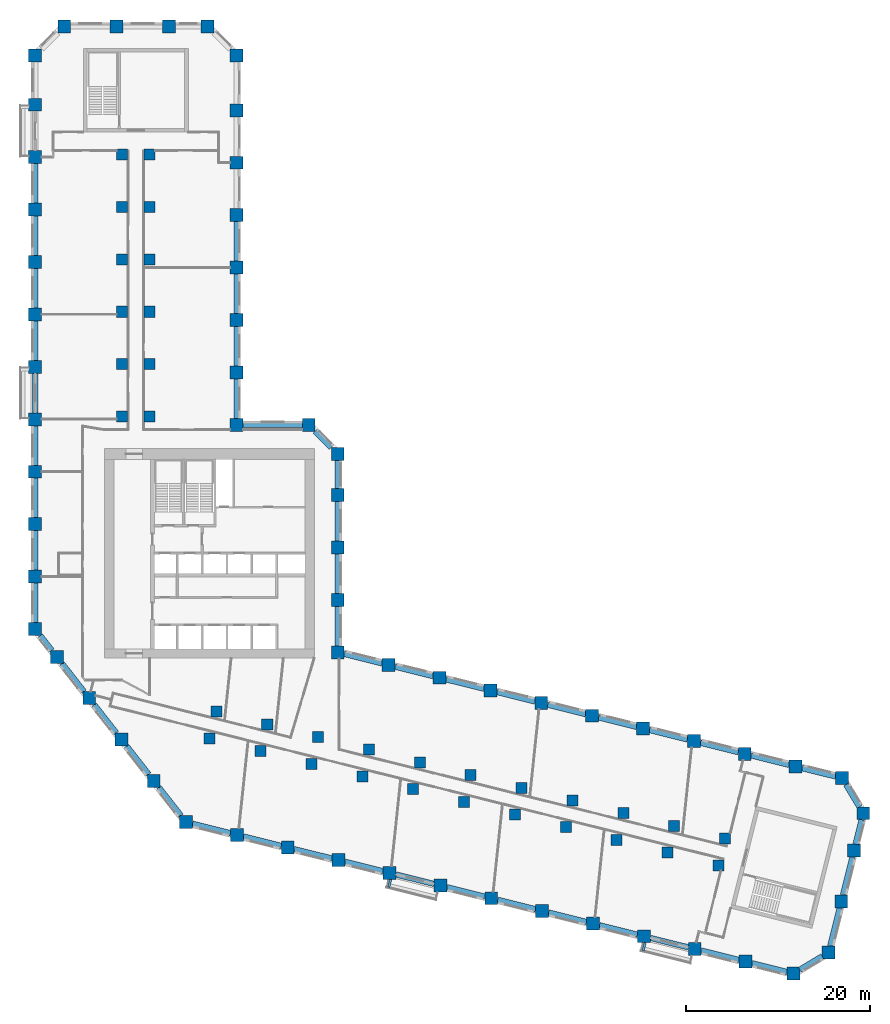
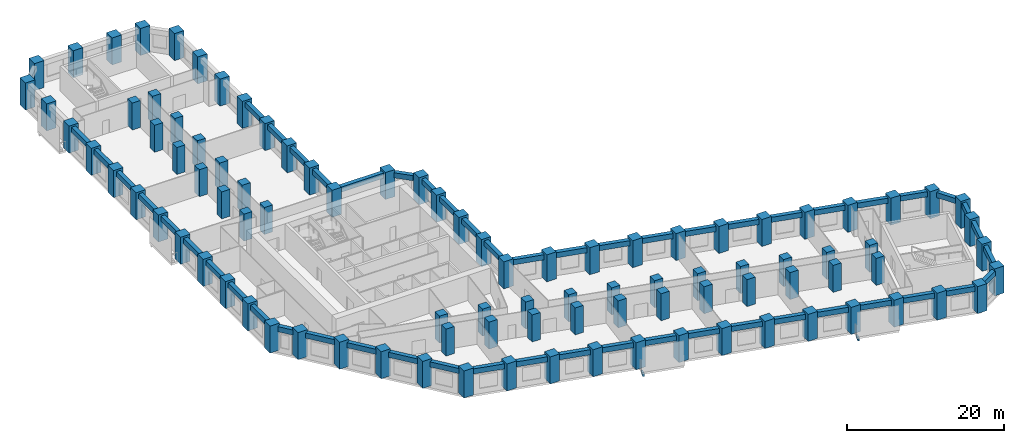
# One storey, part 1 of 11: 95 columns, 53 beams.
"""IFC4 building model written with IfcOpenShell, lengths in metres."""

import ifcopenshell
import ifcopenshell.guid

model = None  # the IFC model being written
_history = None  # IfcOwnerHistory: only IFC2X3 demands one
_inside = {}  # id of a spatial element -> (the spatial element, [elements in it])
_under = {}  # id of a project, library or spatial element -> (it, [spatial elements below it])
_declared = {}  # id of a project -> (the project, [libraries it declares])
_typed = {}  # id of a type object -> (the type object, [elements of that type])
_made_of = {}  # id of a material, layer set ... -> (it, [elements and type objects made of it])


def new_model(schema):
    """Start an empty IFC model of exactly this schema.

    Asked for "IFC4X3", IfcOpenShell would pick the latest addendum, in which some entities
    have other attributes; the version numbers below select the first issue.
    IFC2X3 requires an IfcOwnerHistory on every rooted entity: one is made here for all.
    """
    global model, _history
    if schema == "IFC4X3":
        model = ifcopenshell.file(schema_version=(4, 3, 0, 0))
    else:
        model = ifcopenshell.file(schema=schema)
    _inside.clear()
    _under.clear()
    _declared.clear()
    _typed.clear()
    _made_of.clear()
    _history = None
    if model.schema == "IFC2X3":
        org = make("IfcOrganization", Name="unknown")
        user = make(
            "IfcPersonAndOrganization",
            ThePerson=make("IfcPerson", FamilyName="unknown"),
            TheOrganization=org,
        )
        app = make(
            "IfcApplication",
            ApplicationDeveloper=org,
            Version="unknown",
            ApplicationFullName="unknown",
            ApplicationIdentifier="unknown",
        )
        _history = make(
            "IfcOwnerHistory",
            OwningUser=user,
            OwningApplication=app,
            ChangeAction="ADDED",
            CreationDate=0,
        )
    return model


def make(cls, **values):
    """One entity of the class cls with the attributes given. An attribute that is None is left unset."""
    return model.create_entity(
        cls, **{name: value for name, value in values.items() if value is not None}
    )


def rooted(cls, **values):
    """An entity with a GlobalId (a new one), such as an element, a storey or a relation."""
    return make(cls, GlobalId=ifcopenshell.guid.new(), OwnerHistory=_history, **values)


def si_unit(unit_type, name, prefix=None):
    """IfcSIUnit, for example si_unit("LENGTHUNIT", "METRE", prefix="MILLI")."""
    return make("IfcSIUnit", UnitType=unit_type, Prefix=prefix, Name=name)


def assignment(units):
    """IfcUnitAssignment: the units of a project."""
    return None if units is None else make("IfcUnitAssignment", Units=units)


def point(xyz):
    """IfcCartesianPoint."""
    return None if xyz is None else make("IfcCartesianPoint", Coordinates=xyz)


def direction(xyz):
    """IfcDirection."""
    return None if xyz is None else make("IfcDirection", DirectionRatios=xyz)


def frame(location, z_axis=None, x_axis=None):
    """IfcAxis2Placement3D, a coordinate frame: its origin and axes. An axis left out is left unset."""
    return make(
        "IfcAxis2Placement3D",
        Location=point(location),
        Axis=direction(z_axis),
        RefDirection=direction(x_axis),
    )


def frame_2d(location, x_axis=None):
    """IfcAxis2Placement2D, a coordinate frame in the plane: its origin and x axis."""
    return make(
        "IfcAxis2Placement2D", Location=point(location), RefDirection=direction(x_axis)
    )


def origin():
    """The frame at (0, 0, 0) with its axes left unset."""
    return frame((0.0, 0.0, 0.0))


def origin_2d():
    """The frame at (0, 0) in the plane with its x axis left unset."""
    return frame_2d((0.0, 0.0))


def place(relative_to, where):
    """IfcLocalPlacement: puts the frame where relative to a parent placement (None: the world)."""
    return make(
        "IfcLocalPlacement", PlacementRelTo=relative_to, RelativePlacement=where
    )


def context(
    kind, dimensions, precision=None, world=None, true_north=None, identifier=None
):
    """IfcGeometricRepresentationContext, for example the 3D "Model" context."""
    return make(
        "IfcGeometricRepresentationContext",
        ContextIdentifier=identifier,
        ContextType=kind,
        CoordinateSpaceDimension=dimensions,
        Precision=precision,
        WorldCoordinateSystem=world,
        TrueNorth=true_north,
    )


def subcontext(parent, identifier, kind, view, scale=None):
    """IfcGeometricRepresentationSubContext, for example "Body" below "Model"."""
    return make(
        "IfcGeometricRepresentationSubContext",
        ContextIdentifier=identifier,
        ContextType=kind,
        ParentContext=parent,
        TargetScale=scale,
        TargetView=view,
    )


def project(units=None, contexts=None):
    """IfcProject with its units and contexts."""
    return rooted(
        "IfcProject",
        Name="project",
        RepresentationContexts=contexts,
        UnitsInContext=assignment(units),
    )


def spatial(cls, under=None, at=None, **own):
    """A site, building, storey or space (cls), placed at a placement, below another one or the project."""
    s = rooted(cls, ObjectPlacement=at, **own)
    if under is not None:
        _under.setdefault(under.id(), (under, []))[1].append(s)
    return s


def profile(cls, at=None, kind="AREA", **sizes):
    """A parametric profile (cls). Its sizes go by their IFC names, for example OverallWidth=200.0."""
    return make(cls, ProfileType=kind, Position=at, **sizes)


def rectangle(**sizes):
    """IfcRectangleProfileDef."""
    return profile("IfcRectangleProfileDef", **sizes)


def extrude(swept, where, along, depth):
    """IfcExtrudedAreaSolid: the profile swept, set in the frame where, extruded along a direction by depth."""
    return make(
        "IfcExtrudedAreaSolid",
        SweptArea=swept,
        Position=where,
        ExtrudedDirection=direction(along),
        Depth=depth,
    )


def shape(context_of_items, identifier, shape_type, items):
    """IfcShapeRepresentation: the items that make up one representation, for example the "Body"."""
    return make(
        "IfcShapeRepresentation",
        ContextOfItems=context_of_items,
        RepresentationIdentifier=identifier,
        RepresentationType=shape_type,
        Items=items,
    )


def material(Name=None, Category=None):
    """IfcMaterial."""
    return make("IfcMaterial", Name=Name, Category=Category)


def material_profile(
    of_material, cross_section, Name=None, Category=None, Priority=None
):
    """IfcMaterialProfile: a cross section and its material."""
    return make(
        "IfcMaterialProfile",
        Name=Name,
        Material=of_material,
        Profile=cross_section,
        Priority=Priority,
        Category=Category,
    )


def profile_set(profiles, Name=None, composite=None):
    """IfcMaterialProfileSet."""
    return make(
        "IfcMaterialProfileSet",
        Name=Name,
        MaterialProfiles=profiles,
        CompositeProfile=composite,
    )


def made_of(thing, what):
    """Note that an element or type object is made of a material, layer set ...; save() writes the relation."""
    if what is not None:
        _made_of.setdefault(what.id(), (what, []))[1].append(thing)
    return thing


def type_object(cls, material=None, **own):
    """A type object (cls), such as IfcWallType, which elements share."""
    return made_of(rooted(cls, **own), material)


def element(
    cls,
    number,
    at=None,
    inside=None,
    cuts=None,
    type_object=None,
    material=None,
    context=None,
    identifier="Body",
    shape_type=None,
    held_by="IfcProductDefinitionShape",
    body=None,
    shapes=None,
    **own,
):
    """One element of the class cls, such as IfcWall. Its Tag is "e" and its number.

    at: its placement. inside: the storey or other place that contains it. cuts: it is an
    opening in that element (IfcRelVoidsElement). A single representation is given by context,
    identifier, shape_type and body (its items); several are given by shapes. held_by: the class
    of the entity that holds the representations. save() writes the other relations.
    """
    e = rooted(cls, Tag="e%d" % number, ObjectPlacement=at, **own)
    if body is not None:
        shapes = [shape(context, identifier, shape_type, body)]
    if shapes is not None:
        e.Representation = make(held_by, Representations=shapes)
    if inside is not None:
        _inside.setdefault(inside.id(), (inside, []))[1].append(e)
    if cuts is not None:
        rooted(
            "IfcRelVoidsElement", RelatingBuildingElement=cuts, RelatedOpeningElement=e
        )
    if type_object is not None:
        _typed.setdefault(type_object.id(), (type_object, []))[1].append(e)
    return made_of(e, material)


def aggregate(whole, parts):
    """IfcRelAggregates: a whole, such as a stair, and the parts it consists of."""
    return rooted("IfcRelAggregates", RelatingObject=whole, RelatedObjects=parts)


def save(model, path):
    """Write the relations noted so far, then the file.

    IfcRelAggregates (storeys below a building ...), IfcRelContainedInSpatialStructure (elements
    in a storey), IfcRelDefinesByType, IfcRelAssociatesMaterial and IfcRelDeclares: one each for
    every whole, place, type object, material and project.
    """
    for whole, parts in _under.values():
        aggregate(whole, parts)
    for where, things in _inside.values():
        rooted(
            "IfcRelContainedInSpatialStructure",
            RelatedElements=things,
            RelatingStructure=where,
        )
    for kind, things in _typed.values():
        rooted("IfcRelDefinesByType", RelatedObjects=things, RelatingType=kind)
    for what, things in _made_of.values():
        rooted("IfcRelAssociatesMaterial", RelatedObjects=things, RelatingMaterial=what)
    for by, libraries in _declared.values():
        rooted("IfcRelDeclares", RelatingContext=by, RelatedDefinitions=libraries)
    model.write(path)


model = new_model("IFC4")

# Units and contexts
model_context = context("Model", 3, precision=1e-05, world=origin(), true_north=direction((0.0, 1.0)))
body_context = subcontext(model_context, "Body", "Model", "MODEL_VIEW")
ifc_project = project(units=[si_unit("LENGTHUNIT", "METRE"), si_unit("AREAUNIT", "SQUARE_METRE"), si_unit("VOLUMEUNIT", "CUBIC_METRE"), si_unit("PLANEANGLEUNIT", "RADIAN"), si_unit("MASSUNIT", "GRAM", prefix="KILO")], contexts=[model_context])

# Site, building, storey
site_placement = place(None, origin())
site = spatial("IfcSite", under=ifc_project, at=site_placement, CompositionType="ELEMENT")
building_placement = place(site_placement, origin())
building = spatial("IfcBuilding", under=site, at=building_placement, Name="Meshkara Civic Tower", CompositionType="ELEMENT")
storey_placement = place(building_placement, frame((0.0, 0.0, 54.0)))
storey = spatial("IfcBuildingStorey", under=building, at=storey_placement, Name="L11", CompositionType="ELEMENT", Elevation=54.0)

# Columns
ifc_material_1 = material(Name="Concrete C80", Category="concrete")
ifc_material_profile_1 = material_profile(ifc_material_1, rectangle(XDim=1.199951171875, YDim=1.199951171875, at=origin_2d()))
ifc_profile_set_1 = profile_set([ifc_material_profile_1], Name="Concrete C80")
column_type_1 = type_object("IfcColumnType", Name="Interior column RC 1200x1200 C80", PredefinedType="COLUMN", material=ifc_profile_set_1)
for number, where, z_axis, x_axis, name in (
    (1, (9.89990234375, 40.35009765625, 0.0), (0.0, 0.0, 1.0), (1.0, 0.0, 0.0), "Column SA1-04 L11"),
    (2, (9.89990234375, 46.050048828125, 0.0), (0.0, 0.0, 1.0), (1.0, 0.0, 0.0), "Column SA1-05 L11"),
    (3, (9.89990234375, 51.75, 0.0), (0.0, 0.0, 1.0), (1.0, 0.0, 0.0), "Column SA1-06 L11"),
    (4, (9.89990234375, 57.449951171875, 0.0), (0.0, 0.0, 1.0), (1.0, 0.0, 0.0), "Column SA1-07 L11"),
    (5, (9.89990234375, 63.14990234375, 0.0), (0.0, 0.0, 1.0), (1.0, 0.0, 0.0), "Column SA1-08 L11"),
    (6, (9.89990234375, 68.85009765625, 0.0), (0.0, 0.0, 1.0), (1.0, 0.0, 0.0), "Column SA1-09 L11"),
    (7, (12.89990234375, 40.35009765625, 0.0), (0.0, 0.0, 1.0), (1.0, 0.0, 0.0), "Column SA2-04 L11"),
    (8, (12.89990234375, 46.050048828125, 0.0), (0.0, 0.0, 1.0), (1.0, 0.0, 0.0), "Column SA2-05 L11"),
    (9, (12.89990234375, 51.75, 0.0), (0.0, 0.0, 1.0), (1.0, 0.0, 0.0), "Column SA2-06 L11"),
    (10, (12.89990234375, 57.449951171875, 0.0), (0.0, 0.0, 1.0), (1.0, 0.0, 0.0), "Column SA2-07 L11"),
    (11, (12.89990234375, 63.14990234375, 0.0), (0.0, 0.0, 1.0), (1.0, 0.0, 0.0), "Column SA2-08 L11"),
    (12, (12.89990234375, 68.85009765625, 0.0), (0.0, 0.0, 1.0), (1.0, 0.0, 0.0), "Column SA2-09 L11"),
    (13, (19.424072265625, 5.360107421875, 0.0), (0.0, 0.0, 1.0), (1.0, 0.0, 0.0), "Column SB1-00 L11"),
    (14, (24.9541015625, 3.98095703125, 0.0), (0.0, 0.0, 1.0), (1.0, 0.0, 0.0), "Column SB1-01 L11"),
    (15, (30.485107421875, 2.60205078125, 0.0), (0.0, 0.0, 1.0), (1.0, 0.0, 0.0), "Column SB1-02 L11"),
    (16, (36.01611328125, 1.222900390625, 0.0), (0.0, 0.0, 1.0), (1.0, 0.0, 0.0), "Column SB1-03 L11"),
    (17, (41.5458984375, -0.156005859375, 0.0), (0.0, 0.0, 1.0), (1.0, 0.0, 0.0), "Column SB1-04 L11"),
    (18, (47.076904296875, -1.534912109375, 0.0), (0.0, 0.0, 1.0), (1.0, 0.0, 0.0), "Column SB1-05 L11"),
    (19, (52.60791015625, -2.9140625, 0.0), (0.0, 0.0, 1.0), (1.0, 0.0, 0.0), "Column SB1-06 L11"),
    (20, (58.138916015625, -4.2919921875, 0.0), (0.0, 0.0, 1.0), (1.0, 0.0, 0.0), "Column SB1-07 L11"),
    (21, (63.6689453125, -5.6708984375, 0.0), (0.0, 0.0, 1.0), (1.0, 0.0, 0.0), "Column SB1-08 L11"),
    (22, (69.199951171875, -7.050048828125, 0.0), (0.0, 0.0, 1.0), (1.0, 0.0, 0.0), "Column SB1-09 L11"),
    (23, (74.73095703125, -8.428955078125, 0.0), (0.0, 0.0, 1.0), (1.0, 0.0, 0.0), "Column SB1-10 L11"),
    (24, (20.14892578125, 8.27099609375, 0.0), (0.0, 0.0, 1.0), (1.0, 0.0, 0.0), "Column SB2-00 L11"),
    (25, (25.679931640625, 6.89208984375, 0.0), (0.0, 0.0, 1.0), (1.0, 0.0, 0.0), "Column SB2-01 L11"),
    (26, (31.2109375, 5.512939453125, 0.0), (0.0, 0.0, 1.0), (1.0, 0.0, 0.0), "Column SB2-02 L11"),
    (27, (36.741943359375, 4.134033203125, 0.0), (0.0, 0.0, 1.0), (1.0, 0.0, 0.0), "Column SB2-03 L11"),
    (28, (42.27197265625, 2.7548828125, 0.0), (0.0, 0.0, 1.0), (1.0, 0.0, 0.0), "Column SB2-04 L11"),
    (29, (47.802978515625, 1.3759765625, 0.0), (0.0, 0.0, 1.0), (1.0, 0.0, 0.0), "Column SB2-05 L11"),
    (30, (53.333984375, -0.0029296875, 0.0), (0.0, 0.0, 1.0), (1.0, 0.0, 0.0), "Column SB2-06 L11"),
    (31, (58.864013671875, -1.382080078125, 0.0), (0.0, 0.0, 1.0), (1.0, 0.0, 0.0), "Column SB2-07 L11"),
    (32, (64.39501953125, -2.760986328125, 0.0), (0.0, 0.0, 1.0), (1.0, 0.0, 0.0), "Column SB2-08 L11"),
    (33, (69.926025390625, -4.139892578125, 0.0), (0.0, 0.0, 1.0), (1.0, 0.0, 0.0), "Column SB2-09 L11"),
    (34, (75.4560546875, -5.51806640625, 0.0), (0.0, 0.0, 1.0), (1.0, 0.0, 0.0), "Column SB2-10 L11"),
):
    element("IfcColumn", number, at=place(storey_placement, frame(where, z_axis=z_axis, x_axis=x_axis)), inside=storey, type_object=column_type_1, Name=name, PredefinedType="COLUMN", context=body_context, shape_type="SweptSolid", body=[
        extrude(rectangle(XDim=1.199951171875, YDim=1.199951171875, at=origin_2d()), origin(), (0.0, 0.0, 1.0), 4.199951171875),
    ])
ifc_material_2 = material(Name="Concrete C80", Category="concrete")
ifc_material_profile_2 = material_profile(ifc_material_2, rectangle(XDim=1.39990234375, YDim=1.39990234375, at=origin_2d()))
ifc_profile_set_2 = profile_set([ifc_material_profile_2], Name="Concrete C80")
column_type_2 = type_object("IfcColumnType", Name="Perimeter column RC 1400x1400 C80", PredefinedType="COLUMN", material=ifc_profile_set_2)
for number, where, z_axis, x_axis, name in (
    (35, (33.35009765625, 14.718994140625, 0.0), (0.0, 0.0, 1.0), (1.0, 0.0, 0.0), "Column HE00 L11"),
    (36, (33.35009765625, 20.4189453125, 0.0), (0.0, 0.0, 1.0), (1.0, 0.0, 0.0), "Column HE01 L11"),
    (37, (33.35009765625, 26.118896484375, 0.0), (0.0, 0.0, 1.0), (1.0, 0.0, 0.0), "Column HE02 L11"),
    (38, (33.35009765625, 31.819091796875, 0.0), (0.0, 0.0, 1.0), (1.0, 0.0, 0.0), "Column HE03 L11"),
    (39, (33.35009765625, 36.2939453125, 0.0), (0.0, 0.0, 1.0), (1.0, 0.0, 0.0), "Column HEE L11"),
    (40, (30.194091796875, 39.449951171875, 0.0), (0.0, 0.0, 1.0), (1.0, 0.0, 0.0), "Column HCeE L11"),
    (41, (22.35009765625, 39.449951171875, 0.0), (0.0, 0.0, 1.0), (1.0, 0.0, 0.0), "Column HN00 L11"),
    (42, (22.35009765625, 45.14990234375, 0.0), (0.0, 0.0, 1.0), (1.0, 0.0, 0.0), "Column AE01 L11"),
    (43, (22.35009765625, 50.85009765625, 0.0), (0.0, 0.0, 1.0), (1.0, 0.0, 0.0), "Column AE02 L11"),
    (44, (22.35009765625, 56.550048828125, 0.0), (0.0, 0.0, 1.0), (1.0, 0.0, 0.0), "Column AE03 L11"),
    (45, (22.35009765625, 62.25, 0.0), (0.0, 0.0, 1.0), (1.0, 0.0, 0.0), "Column AE04 L11"),
    (46, (22.35009765625, 67.949951171875, 0.0), (0.0, 0.0, 1.0), (1.0, 0.0, 0.0), "Column AE05 L11"),
    (47, (22.35009765625, 73.64990234375, 0.0), (0.0, 0.0, 1.0), (1.0, 0.0, 0.0), "Column AE06 L11"),
    (48, (22.35009765625, 79.614013671875, 0.0), (0.0, 0.0, 1.0), (1.0, 0.0, 0.0), "Column AEE L11"),
    (49, (19.194091796875, 82.77001953125, 0.0), (0.0, 0.0, 1.0), (1.0, 0.0, 0.0), "Column ATiE L11"),
    (50, (3.60595703125, 82.77001953125, 0.0), (0.0, 0.0, 1.0), (1.0, 0.0, 0.0), "Column AT00 L11"),
    (51, (9.305908203125, 82.77001953125, 0.0), (0.0, 0.0, 1.0), (1.0, 0.0, 0.0), "Column AT01 L11"),
    (52, (15.006103515625, 82.77001953125, 0.0), (0.0, 0.0, 1.0), (1.0, 0.0, 0.0), "Column AT02 L11"),
    (53, (0.449951171875, 79.614013671875, 0.0), (0.0, 0.0, 1.0), (1.0, 0.0, 0.0), "Column ATo00 L11"),
    (54, (0.449951171875, 17.2548828125, 0.0), (0.0, 0.0, 1.0), (1.0, 0.0, 0.0), "Column AW00 L11"),
    (55, (0.449951171875, 22.955078125, 0.0), (0.0, 0.0, 1.0), (1.0, 0.0, 0.0), "Column AW01 L11"),
    (56, (0.449951171875, 28.655029296875, 0.0), (0.0, 0.0, 1.0), (1.0, 0.0, 0.0), "Column AW02 L11"),
    (57, (0.449951171875, 34.35498046875, 0.0), (0.0, 0.0, 1.0), (1.0, 0.0, 0.0), "Column AW03 L11"),
    (58, (0.449951171875, 40.054931640625, 0.0), (0.0, 0.0, 1.0), (1.0, 0.0, 0.0), "Column AW04 L11"),
    (59, (0.449951171875, 45.7548828125, 0.0), (0.0, 0.0, 1.0), (1.0, 0.0, 0.0), "Column AW05 L11"),
    (60, (0.449951171875, 51.455078125, 0.0), (0.0, 0.0, 1.0), (1.0, 0.0, 0.0), "Column AW06 L11"),
    (61, (0.449951171875, 57.155029296875, 0.0), (0.0, 0.0, 1.0), (1.0, 0.0, 0.0), "Column AW07 L11"),
    (62, (0.449951171875, 62.85498046875, 0.0), (0.0, 0.0, 1.0), (1.0, 0.0, 0.0), "Column AW08 L11"),
    (63, (0.449951171875, 68.554931640625, 0.0), (0.0, 0.0, 1.0), (1.0, 0.0, 0.0), "Column AW09 L11"),
    (64, (0.449951171875, 74.2548828125, 0.0), (0.0, 0.0, 1.0), (1.0, 0.0, 0.0), "Column AW10 L11"),
    (65, (16.85107421875, -3.738037109375, 0.0), (0.0, 0.0, 1.0), (1.0, 0.0, 0.0), "Column BOW00 L11"),
    (66, (13.342041015625, 0.75390625, 0.0), (0.0, 0.0, 1.0), (1.0, 0.0, 0.0), "Column BOW01 L11"),
    (67, (9.8330078125, 5.2451171875, 0.0), (0.0, 0.0, 1.0), (1.0, 0.0, 0.0), "Column BOW02 L11"),
    (68, (6.322998046875, 9.737060546875, 0.0), (0.0, 0.0, 1.0), (1.0, 0.0, 0.0), "Column BOW03 L11"),
    (69, (2.81396484375, 14.22900390625, 0.0), (0.0, 0.0, 1.0), (1.0, 0.0, 0.0), "Column BOW04 L11"),
    (70, (22.382080078125, -5.116943359375, 0.0), (0.0, 0.0, 1.0), (1.0, 0.0, 0.0), "Column BS01 L11"),
    (71, (27.912109375, -6.49609375, 0.0), (0.0, 0.0, 1.0), (1.0, 0.0, 0.0), "Column BS02 L11"),
    (72, (33.443115234375, -7.875, 0.0), (0.0, 0.0, 1.0), (1.0, 0.0, 0.0), "Column BS03 L11"),
    (73, (38.97412109375, -9.25390625, 0.0), (0.0, 0.0, 1.0), (1.0, 0.0, 0.0), "Column BS04 L11"),
    (74, (44.5048828125, -10.632080078125, 0.0), (0.0, 0.0, 1.0), (1.0, 0.0, 0.0), "Column BS05 L11"),
    (75, (50.034912109375, -12.010986328125, 0.0), (0.0, 0.0, 1.0), (1.0, 0.0, 0.0), "Column BS06 L11"),
    (76, (55.56591796875, -13.389892578125, 0.0), (0.0, 0.0, 1.0), (1.0, 0.0, 0.0), "Column BS07 L11"),
    (77, (61.096923828125, -14.76904296875, 0.0), (0.0, 0.0, 1.0), (1.0, 0.0, 0.0), "Column BS08 L11"),
    (78, (66.626953125, -16.14794921875, 0.0), (0.0, 0.0, 1.0), (1.0, 0.0, 0.0), "Column BS09 L11"),
    (79, (72.157958984375, -17.527099609375, 0.0), (0.0, 0.0, 1.0), (1.0, 0.0, 0.0), "Column BS10 L11"),
    (80, (77.68896484375, -18.906005859375, 0.0), (0.0, 0.0, 1.0), (1.0, 0.0, 0.0), "Column BS11 L11"),
    (81, (82.887939453125, -20.201904296875, 0.0), (0.0, 0.0, 1.0), (1.0, 0.0, 0.0), "Column BSE L11"),
    (82, (86.714111328125, -17.903076171875, 0.0), (0.0, 0.0, 1.0), (1.0, 0.0, 0.0), "Column BToE L11"),
    (83, (88.093017578125, -12.3720703125, 0.0), (0.0, 0.0, 1.0), (1.0, 0.0, 0.0), "Column BT01 L11"),
    (84, (89.471923828125, -6.842041015625, 0.0), (0.0, 0.0, 1.0), (1.0, 0.0, 0.0), "Column BT02 L11"),
    (85, (90.485107421875, -2.779052734375, 0.0), (0.0, 0.0, 1.0), (1.0, 0.0, 0.0), "Column BTE L11"),
    (86, (88.18603515625, 1.0458984375, 0.0), (0.0, 0.0, 1.0), (1.0, 0.0, 0.0), "Column BTi00 L11"),
    (87, (38.881103515625, 13.340087890625, 0.0), (0.0, 0.0, 1.0), (1.0, 0.0, 0.0), "Column BN01 L11"),
    (88, (44.410888671875, 11.9609375, 0.0), (0.0, 0.0, 1.0), (1.0, 0.0, 0.0), "Column BN02 L11"),
    (89, (49.94189453125, 10.58203125, 0.0), (0.0, 0.0, 1.0), (1.0, 0.0, 0.0), "Column BN03 L11"),
    (90, (55.472900390625, 9.202880859375, 0.0), (0.0, 0.0, 1.0), (1.0, 0.0, 0.0), "Column BN04 L11"),
    (91, (61.0029296875, 7.823974609375, 0.0), (0.0, 0.0, 1.0), (1.0, 0.0, 0.0), "Column BN05 L11"),
    (92, (66.533935546875, 6.445068359375, 0.0), (0.0, 0.0, 1.0), (1.0, 0.0, 0.0), "Column BN06 L11"),
    (93, (72.06494140625, 5.06591796875, 0.0), (0.0, 0.0, 1.0), (1.0, 0.0, 0.0), "Column BN07 L11"),
    (94, (77.594970703125, 3.68701171875, 0.0), (0.0, 0.0, 1.0), (1.0, 0.0, 0.0), "Column BN08 L11"),
    (95, (83.1259765625, 2.30810546875, 0.0), (0.0, 0.0, 1.0), (1.0, 0.0, 0.0), "Column BN09 L11"),
):
    element("IfcColumn", number, at=place(storey_placement, frame(where, z_axis=z_axis, x_axis=x_axis)), inside=storey, type_object=column_type_2, Name=name, PredefinedType="COLUMN", context=body_context, shape_type="SweptSolid", body=[
        extrude(rectangle(XDim=1.39990234375, YDim=1.39990234375, at=origin_2d()), origin(), (0.0, 0.0, 1.0), 4.199951171875),
    ])

# Beams
ifc_material_3 = material(Name="Concrete C50", Category="concrete")
ifc_material_profile_3 = material_profile(ifc_material_3, rectangle(XDim=0.25, YDim=0.39990234375, at=origin_2d()))
ifc_profile_set_3 = profile_set([ifc_material_profile_3], Name="Concrete C50")
beam_type_1 = type_object("IfcBeamType", Name="Balcony bracket beam RC 250x400 C50", PredefinedType="BEAM", material=ifc_profile_set_3)
beam_1_placement = place(storey_placement, frame((39.110107421875, -9.948974609375, -0.5), z_axis=(-0.242472373608, -0.970158310812, 0.0), x_axis=(0.970158310812, -0.242472373608, 0.0)))
element("IfcBeam", 96, at=beam_1_placement, inside=storey, type_object=beam_type_1, Name="Balcony bracket beam", PredefinedType="BEAM", context=body_context, shape_type="SweptSolid", body=[
    extrude(rectangle(XDim=0.25, YDim=0.39990234375, at=origin_2d()), origin(), (0.0, 0.0, 1.0), 0.908203125),
])
beam_2_placement = place(storey_placement, frame((66.762939453125, -16.843017578125, -0.5), z_axis=(-0.241966881417, -0.970284508944, 0.0), x_axis=(0.970284508944, -0.241966881417, 0.0)))
element("IfcBeam", 97, at=beam_2_placement, inside=storey, type_object=beam_type_1, Name="Balcony bracket beam", PredefinedType="BEAM", context=body_context, shape_type="SweptSolid", body=[
    extrude(rectangle(XDim=0.25, YDim=0.39990234375, at=origin_2d()), origin(), (0.0, 0.0, 1.0), 0.9091796875),
])
ifc_material_4 = material(Name="Concrete C70", Category="concrete")
ifc_material_profile_4 = material_profile(ifc_material_4, rectangle(XDim=0.60009765625, YDim=0.800048828125, at=origin_2d()))
ifc_profile_set_4 = profile_set([ifc_material_profile_4], Name="Concrete C70")
beam_type_2 = type_object("IfcBeamType", Name="Spandrel beam RC 600x800 C70", PredefinedType="BEAM", material=ifc_profile_set_4)
beam_3_placement = place(storey_placement, frame((82.430908203125, 2.481201171875, 3.5), z_axis=(-0.97029374225, 0.241929852955, 0.0), x_axis=(-0.241929852955, -0.97029374225, 0.0)))
element("IfcBeam", 98, at=beam_3_placement, inside=storey, type_object=beam_type_2, Name="Spandrel beam BN08-BN09", PredefinedType="BEAM", context=body_context, shape_type="SweptSolid", body=[
    extrude(rectangle(XDim=0.60009765625, YDim=0.800048828125, at=origin_2d()), origin(), (0.0, 0.0, 1.0), 4.267578125),
])
beam_4_placement = place(storey_placement, frame((76.89990234375, 3.8603515625, 3.5), z_axis=(-0.970293777887, 0.241929710026, 0.0), x_axis=(-0.241929710026, -0.970293777887, 0.0)))
element("IfcBeam", 99, at=beam_4_placement, inside=storey, type_object=beam_type_2, Name="Spandrel beam BN07-BN08", PredefinedType="BEAM", context=body_context, shape_type="SweptSolid", body=[
    extrude(rectangle(XDim=0.60009765625, YDim=0.800048828125, at=origin_2d()), origin(), (0.0, 0.0, 1.0), 4.2666015625),
])
for number, where, z_axis, x_axis, name in (
    (100, (71.369873046875, 5.2392578125, 3.5), (-0.97029374225, 0.241929852955, 0.0), (-0.241929852955, -0.97029374225, 0.0), "Spandrel beam BN06-BN07"),
    (101, (65.8388671875, 6.618408203125, 3.5), (-0.970307169965, 0.241875992843, 0.0), (-0.241875992843, -0.970307169965, 0.0), "Spandrel beam BN05-BN06"),
):
    element("IfcBeam", number, at=place(storey_placement, frame(where, z_axis=z_axis, x_axis=x_axis)), inside=storey, type_object=beam_type_2, Name=name, PredefinedType="BEAM", context=body_context, shape_type="SweptSolid", body=[
        extrude(rectangle(XDim=0.60009765625, YDim=0.800048828125, at=origin_2d()), origin(), (0.0, 0.0, 1.0), 4.267578125),
    ])
beam_5_placement = place(storey_placement, frame((60.307861328125, 7.997314453125, 3.5), z_axis=(-0.970276993533, 0.241997016139, 0.0), x_axis=(-0.241997016139, -0.970276993533, 0.0)))
element("IfcBeam", 102, at=beam_5_placement, inside=storey, type_object=beam_type_2, Name="Spandrel beam BN04-BN05", PredefinedType="BEAM", context=body_context, shape_type="SweptSolid", body=[
    extrude(rectangle(XDim=0.60009765625, YDim=0.800048828125, at=origin_2d()), origin(), (0.0, 0.0, 1.0), 4.266357421875),
])
for number, where, z_axis, x_axis, name in (
    (103, (54.77783203125, 9.376220703125, 3.5), (-0.970290393622, 0.241943282702, 0.0), (-0.241943282702, -0.970290393622, 0.0), "Spandrel beam BN03-BN04"),
    (104, (49.246826171875, 10.75537109375, 3.5), (-0.970303822782, 0.241889419972, 0.0), (-0.241889419972, -0.970303822782, 0.0), "Spandrel beam BN02-BN03"),
):
    element("IfcBeam", number, at=place(storey_placement, frame(where, z_axis=z_axis, x_axis=x_axis)), inside=storey, type_object=beam_type_2, Name=name, PredefinedType="BEAM", context=body_context, shape_type="SweptSolid", body=[
        extrude(rectangle(XDim=0.60009765625, YDim=0.800048828125, at=origin_2d()), origin(), (0.0, 0.0, 1.0), 4.267333984375),
    ])
beam_6_placement = place(storey_placement, frame((43.7158203125, 12.13427734375, 3.5), z_axis=(-0.970276993533, 0.241997016139, 0.0), x_axis=(-0.241997016139, -0.970276993533, 0.0)))
element("IfcBeam", 105, at=beam_6_placement, inside=storey, type_object=beam_type_2, Name="Spandrel beam BN01-BN02", PredefinedType="BEAM", context=body_context, shape_type="SweptSolid", body=[
    extrude(rectangle(XDim=0.60009765625, YDim=0.800048828125, at=origin_2d()), origin(), (0.0, 0.0, 1.0), 4.266357421875),
])
beam_7_placement = place(storey_placement, frame((38.185791015625, 13.51318359375, 3.5), z_axis=(-0.970290393622, 0.241943282702, 0.0), x_axis=(-0.241943282702, -0.970290393622, 0.0)))
element("IfcBeam", 106, at=beam_7_placement, inside=storey, type_object=beam_type_2, Name="Spandrel beam BN01-HE00", PredefinedType="BEAM", context=body_context, shape_type="SweptSolid", body=[
    extrude(rectangle(XDim=0.60009765625, YDim=0.800048828125, at=origin_2d()), origin(), (0.0, 0.0, 1.0), 4.267333984375),
])
for number, where, z_axis, x_axis, name in (
    (107, (33.35009765625, 15.4140625, 3.5), (0.0, 1.0, 0.0), (-1.0, 0.0, 0.0), "Spandrel beam HE00-HE01"),
    (108, (33.35009765625, 21.114013671875, 3.5), (0.0, 1.0, 0.0), (-1.0, 0.0, 0.0), "Spandrel beam HE01-HE02"),
    (109, (33.35009765625, 26.81396484375, 3.5), (0.0, 1.0, 0.0), (-1.0, 0.0, 0.0), "Spandrel beam HE02-HE03"),
):
    element("IfcBeam", number, at=place(storey_placement, frame(where, z_axis=z_axis, x_axis=x_axis)), inside=storey, type_object=beam_type_2, Name=name, PredefinedType="BEAM", context=body_context, shape_type="SweptSolid", body=[
        extrude(rectangle(XDim=0.60009765625, YDim=0.800048828125, at=origin_2d()), origin(), (0.0, 0.0, 1.0), 4.31005859375),
    ])
beam_8_placement = place(storey_placement, frame((33.35009765625, 32.513916015625, 3.5), z_axis=(0.0, 1.0, 0.0), x_axis=(-1.0, 0.0, 0.0)))
element("IfcBeam", 110, at=beam_8_placement, inside=storey, type_object=beam_type_2, Name="Spandrel beam HE03-HEE", PredefinedType="BEAM", context=body_context, shape_type="SweptSolid", body=[
    extrude(rectangle(XDim=0.60009765625, YDim=0.800048828125, at=origin_2d()), origin(), (0.0, 0.0, 1.0), 3.085205078125),
])
beam_9_placement = place(storey_placement, frame((32.653564453125, 36.990478515625, 3.5), z_axis=(-0.707155737934, 0.70705782105, 0.0), x_axis=(-0.70705782105, -0.707155737934, 0.0)))
element("IfcBeam", 111, at=beam_9_placement, inside=storey, type_object=beam_type_2, Name="Spandrel beam HCeE-HEE", PredefinedType="BEAM", context=body_context, shape_type="SweptSolid", body=[
    extrude(rectangle(XDim=0.60009765625, YDim=0.800048828125, at=origin_2d()), origin(), (0.0, 0.0, 1.0), 2.493408203125),
])
beam_10_placement = place(storey_placement, frame((29.4990234375, 39.449951171875, 3.5), z_axis=(-1.0, 0.0, 0.0), x_axis=(0.0, -1.0, 0.0)))
element("IfcBeam", 112, at=beam_10_placement, inside=storey, type_object=beam_type_2, Name="Spandrel beam HCeE-HN00", PredefinedType="BEAM", context=body_context, shape_type="SweptSolid", body=[
    extrude(rectangle(XDim=0.60009765625, YDim=0.800048828125, at=origin_2d()), origin(), (0.0, 0.0, 1.0), 6.4541015625),
])
for number, where, z_axis, x_axis, name in (
    (113, (22.35009765625, 40.14501953125, 3.5), (0.0, 1.0, 0.0), (-1.0, 0.0, 0.0), "Spandrel beam AE01-HN00"),
    (114, (22.35009765625, 45.844970703125, 3.5), (0.0, 1.0, 0.0), (-1.0, 0.0, 0.0), "Spandrel beam AE01-AE02"),
    (115, (22.35009765625, 51.544921875, 3.5), (0.0, 1.0, 0.0), (-1.0, 0.0, 0.0), "Spandrel beam AE02-AE03"),
):
    element("IfcBeam", number, at=place(storey_placement, frame(where, z_axis=z_axis, x_axis=x_axis)), inside=storey, type_object=beam_type_2, Name=name, PredefinedType="BEAM", context=body_context, shape_type="SweptSolid", body=[
        extrude(rectangle(XDim=0.60009765625, YDim=0.800048828125, at=origin_2d()), origin(), (0.0, 0.0, 1.0), 4.31005859375),
    ])
beam_11_placement = place(storey_placement, frame((22.35009765625, 57.2451171875, 3.5), z_axis=(0.0, 1.0, 0.0), x_axis=(-1.0, 0.0, 0.0)))
element("IfcBeam", 116, at=beam_11_placement, inside=storey, type_object=beam_type_2, Name="Spandrel beam AE03-AE04", PredefinedType="BEAM", context=body_context, shape_type="SweptSolid", body=[
    extrude(rectangle(XDim=0.60009765625, YDim=0.800048828125, at=origin_2d()), origin(), (0.0, 0.0, 1.0), 4.309814453125),
])
beam_12_placement = place(storey_placement, frame((0.449951171875, 67.860107421875, 3.5), z_axis=(0.0, -1.0, 0.0), x_axis=(1.0, 0.0, 0.0)))
element("IfcBeam", 117, at=beam_12_placement, inside=storey, type_object=beam_type_2, Name="Spandrel beam AW08-AW09", PredefinedType="BEAM", context=body_context, shape_type="SweptSolid", body=[
    extrude(rectangle(XDim=0.60009765625, YDim=0.800048828125, at=origin_2d()), origin(), (0.0, 0.0, 1.0), 4.31005859375),
])
beam_13_placement = place(storey_placement, frame((0.449951171875, 62.159912109375, 3.5), z_axis=(0.0, -1.0, 0.0), x_axis=(1.0, 0.0, 0.0)))
element("IfcBeam", 118, at=beam_13_placement, inside=storey, type_object=beam_type_2, Name="Spandrel beam AW07-AW08", PredefinedType="BEAM", context=body_context, shape_type="SweptSolid", body=[
    extrude(rectangle(XDim=0.60009765625, YDim=0.800048828125, at=origin_2d()), origin(), (0.0, 0.0, 1.0), 4.309814453125),
])
for number, where, z_axis, x_axis, name in (
    (119, (0.449951171875, 56.4599609375, 3.5), (0.0, -1.0, 0.0), (1.0, 0.0, 0.0), "Spandrel beam AW06-AW07"),
    (120, (0.449951171875, 50.760009765625, 3.5), (0.0, -1.0, 0.0), (1.0, 0.0, 0.0), "Spandrel beam AW05-AW06"),
    (121, (0.449951171875, 45.06005859375, 3.5), (0.0, -1.0, 0.0), (1.0, 0.0, 0.0), "Spandrel beam AW04-AW05"),
    (122, (0.449951171875, 39.360107421875, 3.5), (0.0, -1.0, 0.0), (1.0, 0.0, 0.0), "Spandrel beam AW03-AW04"),
):
    element("IfcBeam", number, at=place(storey_placement, frame(where, z_axis=z_axis, x_axis=x_axis)), inside=storey, type_object=beam_type_2, Name=name, PredefinedType="BEAM", context=body_context, shape_type="SweptSolid", body=[
        extrude(rectangle(XDim=0.60009765625, YDim=0.800048828125, at=origin_2d()), origin(), (0.0, 0.0, 1.0), 4.31005859375),
    ])
beam_14_placement = place(storey_placement, frame((0.449951171875, 33.659912109375, 3.5), z_axis=(0.0, -1.0, 0.0), x_axis=(1.0, 0.0, 0.0)))
element("IfcBeam", 123, at=beam_14_placement, inside=storey, type_object=beam_type_2, Name="Spandrel beam AW02-AW03", PredefinedType="BEAM", context=body_context, shape_type="SweptSolid", body=[
    extrude(rectangle(XDim=0.60009765625, YDim=0.800048828125, at=origin_2d()), origin(), (0.0, 0.0, 1.0), 4.309814453125),
])
for number, where, z_axis, x_axis, name in (
    (124, (0.449951171875, 27.9599609375, 3.5), (0.0, -1.0, 0.0), (1.0, 0.0, 0.0), "Spandrel beam AW01-AW02"),
    (125, (0.449951171875, 22.260009765625, 3.5), (0.0, -1.0, 0.0), (1.0, 0.0, 0.0), "Spandrel beam AW00-AW01"),
):
    element("IfcBeam", number, at=place(storey_placement, frame(where, z_axis=z_axis, x_axis=x_axis)), inside=storey, type_object=beam_type_2, Name=name, PredefinedType="BEAM", context=body_context, shape_type="SweptSolid", body=[
        extrude(rectangle(XDim=0.60009765625, YDim=0.800048828125, at=origin_2d()), origin(), (0.0, 0.0, 1.0), 4.31005859375),
    ])
beam_15_placement = place(storey_placement, frame((0.993896484375, 16.558837890625, 3.5), z_axis=(0.615634901283, -0.788031514803, 0.0), x_axis=(0.788031514803, 0.615634901283, 0.0)))
element("IfcBeam", 126, at=beam_15_placement, inside=storey, type_object=beam_type_2, Name="Spandrel beam AW00-BOW04", PredefinedType="BEAM", context=body_context, shape_type="SweptSolid", body=[
    extrude(rectangle(XDim=0.60009765625, YDim=0.800048828125, at=origin_2d()), origin(), (0.0, 0.0, 1.0), 2.0732421875),
])
beam_16_placement = place(storey_placement, frame((3.357666015625, 13.532958984375, 3.5), z_axis=(0.615623566685, -0.788040369614, 0.0), x_axis=(0.788040369614, 0.615623566685, 0.0)))
element("IfcBeam", 127, at=beam_16_placement, inside=storey, type_object=beam_type_2, Name="Spandrel beam BOW03-BOW04", PredefinedType="BEAM", context=body_context, shape_type="SweptSolid", body=[
    extrude(rectangle(XDim=0.60009765625, YDim=0.800048828125, at=origin_2d()), origin(), (0.0, 0.0, 1.0), 3.93359375),
])
beam_17_placement = place(storey_placement, frame((6.866943359375, 9.041015625, 3.5), z_axis=(0.61570064363, -0.787980150406, 0.0), x_axis=(0.787980150406, 0.61570064363, 0.0)))
element("IfcBeam", 128, at=beam_17_placement, inside=storey, type_object=beam_type_2, Name="Spandrel beam BOW02-BOW03", PredefinedType="BEAM", context=body_context, shape_type="SweptSolid", body=[
    extrude(rectangle(XDim=0.60009765625, YDim=0.800048828125, at=origin_2d()), origin(), (0.0, 0.0, 1.0), 3.933837890625),
])
beam_18_placement = place(storey_placement, frame((10.376953125, 4.548828125, 3.5), z_axis=(0.615697051917, -0.787982956834, 0.0), x_axis=(0.787982956834, 0.615697051917, 0.0)))
element("IfcBeam", 129, at=beam_18_placement, inside=storey, type_object=beam_type_2, Name="Spandrel beam BOW01-BOW02", PredefinedType="BEAM", context=body_context, shape_type="SweptSolid", body=[
    extrude(rectangle(XDim=0.60009765625, YDim=0.800048828125, at=origin_2d()), origin(), (0.0, 0.0, 1.0), 3.932373046875),
])
beam_19_placement = place(storey_placement, frame((13.8857421875, 0.057861328125, 3.5), z_axis=(0.615623566685, -0.788040369614, 0.0), x_axis=(0.788040369614, 0.615623566685, 0.0)))
element("IfcBeam", 130, at=beam_19_placement, inside=storey, type_object=beam_type_2, Name="Spandrel beam BOW00-BOW01", PredefinedType="BEAM", context=body_context, shape_type="SweptSolid", body=[
    extrude(rectangle(XDim=0.60009765625, YDim=0.800048828125, at=origin_2d()), origin(), (0.0, 0.0, 1.0), 3.93359375),
])
beam_20_placement = place(storey_placement, frame((17.546142578125, -3.911376953125, 3.5), z_axis=(0.970307169965, -0.241875992843, 0.0), x_axis=(0.241875992843, 0.970307169965, 0.0)))
element("IfcBeam", 131, at=beam_20_placement, inside=storey, type_object=beam_type_2, Name="Spandrel beam BOW00-BS01", PredefinedType="BEAM", context=body_context, shape_type="SweptSolid", body=[
    extrude(rectangle(XDim=0.60009765625, YDim=0.800048828125, at=origin_2d()), origin(), (0.0, 0.0, 1.0), 4.267578125),
])
beam_21_placement = place(storey_placement, frame((23.0771484375, -5.290283203125, 3.5), z_axis=(0.970276993533, -0.241997016139, 0.0), x_axis=(0.241997016139, 0.970276993533, 0.0)))
element("IfcBeam", 132, at=beam_21_placement, inside=storey, type_object=beam_type_2, Name="Spandrel beam BS01-BS02", PredefinedType="BEAM", context=body_context, shape_type="SweptSolid", body=[
    extrude(rectangle(XDim=0.60009765625, YDim=0.800048828125, at=origin_2d()), origin(), (0.0, 0.0, 1.0), 4.266357421875),
])
for number, where, z_axis, x_axis, name in (
    (133, (28.607177734375, -6.669189453125, 3.5), (0.970290393622, -0.241943282702, 0.0), (0.241943282702, 0.970290393622, 0.0), "Spandrel beam BS02-BS03"),
    (134, (34.13818359375, -8.04833984375, 3.5), (0.970290393622, -0.241943282702, 0.0), (0.241943282702, 0.970290393622, 0.0), "Spandrel beam BS03-BS04"),
):
    element("IfcBeam", number, at=place(storey_placement, frame(where, z_axis=z_axis, x_axis=x_axis)), inside=storey, type_object=beam_type_2, Name=name, PredefinedType="BEAM", context=body_context, shape_type="SweptSolid", body=[
        extrude(rectangle(XDim=0.60009765625, YDim=0.800048828125, at=origin_2d()), origin(), (0.0, 0.0, 1.0), 4.267333984375),
    ])
beam_22_placement = place(storey_placement, frame((39.669189453125, -9.42724609375, 3.5), z_axis=(0.97034409455, -0.241727818365, 0.0), x_axis=(0.241727818365, 0.97034409455, 0.0)))
element("IfcBeam", 135, at=beam_22_placement, inside=storey, type_object=beam_type_2, Name="Spandrel beam BS04-BS05", PredefinedType="BEAM", context=body_context, shape_type="SweptSolid", body=[
    extrude(rectangle(XDim=0.60009765625, YDim=0.800048828125, at=origin_2d()), origin(), (0.0, 0.0, 1.0), 4.26708984375),
])
beam_23_placement = place(storey_placement, frame((45.2001953125, -10.805419921875, 3.5), z_axis=(0.970290428474, -0.241943142934, 0.0), x_axis=(0.241943142934, 0.970290428474, 0.0)))
element("IfcBeam", 136, at=beam_23_placement, inside=storey, type_object=beam_type_2, Name="Spandrel beam BS05-BS06", PredefinedType="BEAM", context=body_context, shape_type="SweptSolid", body=[
    extrude(rectangle(XDim=0.60009765625, YDim=0.800048828125, at=origin_2d()), origin(), (0.0, 0.0, 1.0), 4.266357421875),
])
for number, where, z_axis, x_axis, name in (
    (137, (50.72998046875, -12.184326171875, 3.5), (0.97029374225, -0.241929852955, 0.0), (0.241929852955, 0.97029374225, 0.0), "Spandrel beam BS06-BS07"),
    (138, (56.260986328125, -13.563232421875, 3.5), (0.97029374225, -0.241929852955, 0.0), (0.241929852955, 0.97029374225, 0.0), "Spandrel beam BS07-BS08"),
):
    element("IfcBeam", number, at=place(storey_placement, frame(where, z_axis=z_axis, x_axis=x_axis)), inside=storey, type_object=beam_type_2, Name=name, PredefinedType="BEAM", context=body_context, shape_type="SweptSolid", body=[
        extrude(rectangle(XDim=0.60009765625, YDim=0.800048828125, at=origin_2d()), origin(), (0.0, 0.0, 1.0), 4.267578125),
    ])
beam_24_placement = place(storey_placement, frame((61.7919921875, -14.9423828125, 3.5), z_axis=(0.970293777887, -0.241929710026, 0.0), x_axis=(0.241929710026, 0.970293777887, 0.0)))
element("IfcBeam", 139, at=beam_24_placement, inside=storey, type_object=beam_type_2, Name="Spandrel beam BS08-BS09", PredefinedType="BEAM", context=body_context, shape_type="SweptSolid", body=[
    extrude(rectangle(XDim=0.60009765625, YDim=0.800048828125, at=origin_2d()), origin(), (0.0, 0.0, 1.0), 4.2666015625),
])
for number, where, z_axis, x_axis, name in (
    (140, (67.322021484375, -16.3212890625, 3.5), (0.97029374225, -0.241929852955, 0.0), (0.241929852955, 0.97029374225, 0.0), "Spandrel beam BS09-BS10"),
    (141, (72.85302734375, -17.7001953125, 3.5), (0.97029374225, -0.241929852955, 0.0), (0.241929852955, 0.97029374225, 0.0), "Spandrel beam BS10-BS11"),
):
    element("IfcBeam", number, at=place(storey_placement, frame(where, z_axis=z_axis, x_axis=x_axis)), inside=storey, type_object=beam_type_2, Name=name, PredefinedType="BEAM", context=body_context, shape_type="SweptSolid", body=[
        extrude(rectangle(XDim=0.60009765625, YDim=0.800048828125, at=origin_2d()), origin(), (0.0, 0.0, 1.0), 4.267578125),
    ])
beam_25_placement = place(storey_placement, frame((78.384033203125, -19.079345703125, 3.5), z_axis=(0.970306910921, -0.241877032022, 0.0), x_axis=(0.241877032022, 0.970306910921, 0.0)))
element("IfcBeam", 142, at=beam_25_placement, inside=storey, type_object=beam_type_2, Name="Spandrel beam BS11-BSE", PredefinedType="BEAM", context=body_context, shape_type="SweptSolid", body=[
    extrude(rectangle(XDim=0.60009765625, YDim=0.800048828125, at=origin_2d()), origin(), (0.0, 0.0, 1.0), 3.92529296875),
])
beam_26_placement = place(storey_placement, frame((83.583740234375, -19.783935546875, 3.5), z_axis=(0.857159031547, 0.515051836846, 0.0), x_axis=(-0.515051836846, 0.857159031547, 0.0)))
element("IfcBeam", 143, at=beam_26_placement, inside=storey, type_object=beam_type_2, Name="Spandrel beam BSE-BToE", PredefinedType="BEAM", context=body_context, shape_type="SweptSolid", body=[
    extrude(rectangle(XDim=0.60009765625, YDim=0.800048828125, at=origin_2d()), origin(), (0.0, 0.0, 1.0), 2.84033203125),
])
beam_27_placement = place(storey_placement, frame((86.88720703125, -17.2080078125, 3.5), z_axis=(0.241929852955, 0.97029374225, 0.0), x_axis=(-0.97029374225, 0.241929852955, 0.0)))
element("IfcBeam", 144, at=beam_27_placement, inside=storey, type_object=beam_type_2, Name="Spandrel beam BT01-BToE", PredefinedType="BEAM", context=body_context, shape_type="SweptSolid", body=[
    extrude(rectangle(XDim=0.60009765625, YDim=0.800048828125, at=origin_2d()), origin(), (0.0, 0.0, 1.0), 4.267578125),
])
beam_28_placement = place(storey_placement, frame((88.266357421875, -11.677001953125, 3.5), z_axis=(0.241929710026, 0.970293777887, 0.0), x_axis=(-0.970293777887, 0.241929710026, 0.0)))
element("IfcBeam", 145, at=beam_28_placement, inside=storey, type_object=beam_type_2, Name="Spandrel beam BT01-BT02", PredefinedType="BEAM", context=body_context, shape_type="SweptSolid", body=[
    extrude(rectangle(XDim=0.60009765625, YDim=0.800048828125, at=origin_2d()), origin(), (0.0, 0.0, 1.0), 4.2666015625),
])
beam_29_placement = place(storey_placement, frame((89.645263671875, -6.14697265625, 3.5), z_axis=(0.241951685637, 0.9702882983, 0.0), x_axis=(-0.9702882983, 0.241951685637, 0.0)))
element("IfcBeam", 146, at=beam_29_placement, inside=storey, type_object=beam_type_2, Name="Spandrel beam BT02-BTE", PredefinedType="BEAM", context=body_context, shape_type="SweptSolid", body=[
    extrude(rectangle(XDim=0.60009765625, YDim=0.800048828125, at=origin_2d()), origin(), (0.0, 0.0, 1.0), 2.754638671875),
])
beam_30_placement = place(storey_placement, frame((90.06689453125, -2.083251953125, 3.5), z_axis=(-0.515140502895, 0.85710574743, 0.0), x_axis=(-0.85710574743, -0.515140502895, 0.0)))
element("IfcBeam", 147, at=beam_30_placement, inside=storey, type_object=beam_type_2, Name="Spandrel beam BTE-BTi00", PredefinedType="BEAM", context=body_context, shape_type="SweptSolid", body=[
    extrude(rectangle(XDim=0.60009765625, YDim=0.800048828125, at=origin_2d()), origin(), (0.0, 0.0, 1.0), 2.83935546875),
])
beam_31_placement = place(storey_placement, frame((87.490966796875, 1.219482421875, 3.5), z_axis=(-0.97029418893, 0.241928061476, 0.0), x_axis=(-0.241928061476, -0.97029418893, 0.0)))
element("IfcBeam", 148, at=beam_31_placement, inside=storey, type_object=beam_type_2, Name="Spandrel beam BN09-BTi00", PredefinedType="BEAM", context=body_context, shape_type="SweptSolid", body=[
    extrude(rectangle(XDim=0.60009765625, YDim=0.800048828125, at=origin_2d()), origin(), (0.0, 0.0, 1.0), 3.7822265625),
])

save(model, "model.ifc")
